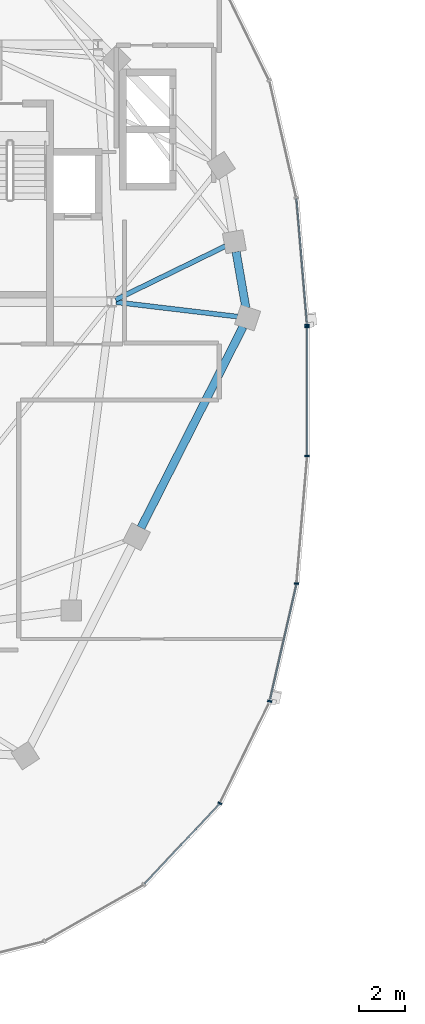
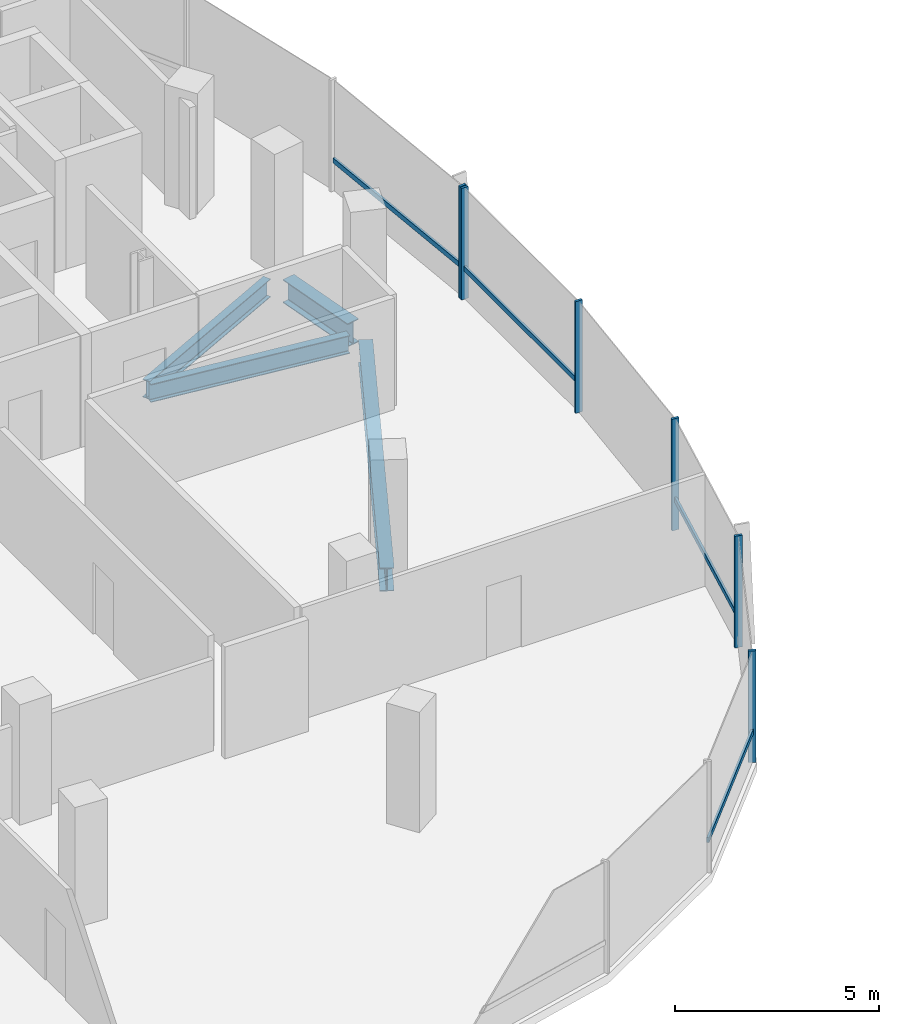
# One storey, part 5 of 25: 10 members, 4 beams, 2 elements without a shape of their own.
"""IFC4 building model written with IfcOpenShell, lengths in metres."""

from ifc_helpers import new_model, si_unit, direction, frame, origin, origin_2d, place, context, subcontext, project, spatial, rectangle, i_section, extrude, material, material_profile, profile_set, type_object, element, aggregate, save


model = new_model("IFC4")

# Units and contexts
model_context = context("Model", 3, precision=1e-05, world=origin(), true_north=direction((0.0, 1.0)))
body_context = subcontext(model_context, "Body", "Model", "MODEL_VIEW")
ifc_project = project(units=[si_unit("LENGTHUNIT", "METRE"), si_unit("AREAUNIT", "SQUARE_METRE"), si_unit("VOLUMEUNIT", "CUBIC_METRE"), si_unit("PLANEANGLEUNIT", "RADIAN"), si_unit("MASSUNIT", "GRAM", prefix="KILO"), si_unit("THERMODYNAMICTEMPERATUREUNIT", "KELVIN"), si_unit("POWERUNIT", "WATT")], contexts=[model_context])

# Site, building, storey
site_placement = place(None, origin())
site = spatial("IfcSite", under=ifc_project, at=site_placement, CompositionType="ELEMENT")
building_placement = place(site_placement, origin())
building = spatial("IfcBuilding", under=site, at=building_placement, Name="Cundina Bronze Exchange", CompositionType="ELEMENT")
storey_placement = place(building_placement, frame((0.0, 0.0, 217.0)))
storey = spatial("IfcBuildingStorey", under=building, at=storey_placement, Name="L57", CompositionType="ELEMENT", Elevation=217.0)

# Beams
ifc_material_1 = material(Name="Steel ASTM A992 Grade 50", Category="steel")
ifc_material_profile_1 = material_profile(ifc_material_1, i_section(OverallWidth=0.2119140625, OverallDepth=0.5439453125, WebThickness=0.01318359375, FlangeThickness=0.021240234375, FilletRadius=0.013916015625, at=origin_2d()), Name="W21X83", Category="steel")
ifc_profile_set_1 = profile_set([ifc_material_profile_1], Name="Steel ASTM A992 Grade 50")
beam_type_1 = type_object("IfcBeamType", Name="BM-FLR-W21A", PredefinedType="BEAM", material=ifc_profile_set_1)
beam_1_placement = place(storey_placement, frame((-21.25537109375, 3.876953125, -0.531982421875), z_axis=(0.993036786722, -0.117804669761, 0.0), x_axis=(0.117804669761, 0.993036786722, 0.0)))
element("IfcBeam", 1, at=beam_1_placement, inside=storey, type_object=beam_type_1, Name="L57 Leg W Radial Floor Beam 00", PredefinedType="BEAM", context=body_context, shape_type="SweptSolid", body=[
    extrude(i_section(OverallWidth=0.2119140625, OverallDepth=0.5439453125, WebThickness=0.01318359375, FlangeThickness=0.021240234375, FilletRadius=0.013916015625, at=origin_2d()), origin(), (0.0, 0.0, 1.0), 5.307373046875),
])
beam_2_placement = place(storey_placement, frame((-21.27392578125, 3.986083984375, -0.531982421875), z_axis=(0.898613202677, 0.438741737214, 0.0), x_axis=(-0.438741737214, 0.898613202677, 0.0)))
element("IfcBeam", 2, at=beam_2_placement, inside=storey, type_object=beam_type_1, Name="L57 Leg W Radial Floor Beam 01", PredefinedType="BEAM", context=body_context, shape_type="SweptSolid", body=[
    extrude(i_section(OverallWidth=0.2119140625, OverallDepth=0.5439453125, WebThickness=0.01318359375, FlangeThickness=0.021240234375, FilletRadius=0.013916015625, at=origin_2d()), origin(), (0.0, 0.0, 1.0), 5.2919921875),
])
ifc_material_profile_2 = material_profile(ifc_material_1, i_section(OverallWidth=0.35498046875, OverallDepth=0.695068359375, WebThickness=0.015380859375, FlangeThickness=0.02490234375, FilletRadius=0.01806640625, at=origin_2d()), Name="W27X146", Category="steel")
ifc_profile_set_2 = profile_set([ifc_material_profile_2], Name="Steel ASTM A992 Grade 50")
beam_type_2 = type_object("IfcBeamType", Name="BM-RING-W27", PredefinedType="USERDEFINED", material=ifc_profile_set_2)
beam_3_placement = place(storey_placement, frame((-15.625244140625, 3.631591796875, -0.607421875), z_axis=(-0.171628556628, 0.985161732179, 0.0), x_axis=(-0.985161732179, -0.171628556628, 0.0)))
element("IfcBeam", 3, at=beam_3_placement, inside=storey, type_object=beam_type_2, Name="L57 W Perimeter Ring Girder 00", ObjectType="GIRDER", PredefinedType="USERDEFINED", context=body_context, shape_type="SweptSolid", body=[
    extrude(i_section(OverallWidth=0.35498046875, OverallDepth=0.695068359375, WebThickness=0.015380859375, FlangeThickness=0.02490234375, FilletRadius=0.01806640625, at=origin_2d()), origin(), (0.0, 0.0, 1.0), 2.4736328125),
])
beam_4_placement = place(storey_placement, frame((-20.1767578125, -5.909423828125, -0.607421875), z_axis=(0.452846871434, 0.891588308039, 0.0), x_axis=(-0.891588308039, 0.452846871434, 0.0)))
element("IfcBeam", 4, at=beam_4_placement, inside=storey, type_object=beam_type_2, Name="L57 W Perimeter Ring Girder 13", ObjectType="GIRDER", PredefinedType="USERDEFINED", context=body_context, shape_type="SweptSolid", body=[
    extrude(i_section(OverallWidth=0.35498046875, OverallDepth=0.695068359375, WebThickness=0.015380859375, FlangeThickness=0.02490234375, FilletRadius=0.01806640625, at=origin_2d()), origin(), (0.0, 0.0, 1.0), 9.779052734375),
])

# Curtain wall, member
ifc_material_2 = material(Name="Anodised Bronze Aluminium 6063-T6", Category="aluminium")
curtain_wall_type = type_object("IfcCurtainWallType", Name="CWS-UPP-OFF", PredefinedType="NOTDEFINED", material=ifc_material_2)
curtain_wall_1_placement = place(storey_placement, origin())
curtain_wall_1 = element("IfcCurtainWall", 5, at=curtain_wall_1_placement, inside=storey, type_object=curtain_wall_type, Name="L57 CW-05 Curtain Wall Run CWR-L57-W1", PredefinedType="NOTDEFINED")
ifc_material_profile_3 = material_profile(ifc_material_2, rectangle(XDim=0.070068359375, YDim=0.18994140625, at=origin_2d()), Name="AL70X190", Category="aluminium")
ifc_profile_set_3 = profile_set([ifc_material_profile_3], Name="Anodised Bronze Aluminium 6063-T6")
member_type_1 = type_object("IfcMemberType", Name="CWM-MUL-190", PredefinedType="MULLION", material=ifc_profile_set_3)
member_1_placement = place(storey_placement, frame((-12.9697265625, 2.88330078125, 0.0), z_axis=(0.0, 0.0, 1.0), x_axis=(-0.083677843332, 0.99649285925, 0.0)))
member_1 = element("IfcMember", 6, at=member_1_placement, type_object=member_type_1, Name="CW-05 Mullion 1", PredefinedType="MULLION", context=body_context, shape_type="SweptSolid", body=[
    extrude(rectangle(XDim=0.070068359375, YDim=0.18994140625, at=origin_2d()), origin(), (0.0, 0.0, 1.0), 3.340087890625),
])

# Curtain wall, members
curtain_wall_2_placement = place(storey_placement, origin())
curtain_wall_2 = element("IfcCurtainWall", 7, at=curtain_wall_2_placement, inside=storey, type_object=curtain_wall_type, Name="L57 CW-05 Curtain Wall Run CWR-L57-W4", PredefinedType="NOTDEFINED")
member_2_placement = place(storey_placement, frame((-16.754638671875, -17.866455078125, 0.0), z_axis=(0.0, 0.0, 1.0), x_axis=(0.440566004113, 0.897720221461, 0.0)))
member_2 = element("IfcMember", 8, at=member_2_placement, type_object=member_type_1, Name="CW-05 Mullion 4", PredefinedType="MULLION", context=body_context, shape_type="SweptSolid", body=[
    extrude(rectangle(XDim=0.070068359375, YDim=0.18994140625, at=origin_2d()), origin(), (0.0, 0.0, 1.0), 3.340087890625),
])
member_3_placement = place(storey_placement, frame((-14.59228515625, -13.440673828125, 0.0), z_axis=(0.0, 0.0, 1.0), x_axis=(0.223250116011, 0.974761194191, 0.0)))
member_3 = element("IfcMember", 9, at=member_3_placement, type_object=member_type_1, Name="CW-05 Mullion 5", PredefinedType="MULLION", context=body_context, shape_type="SweptSolid", body=[
    extrude(rectangle(XDim=0.070068359375, YDim=0.18994140625, at=origin_2d()), origin(), (0.0, 0.0, 1.0), 3.340087890625),
])
member_4_placement = place(storey_placement, frame((-13.427490234375, -8.33056640625, 0.0), z_axis=(0.0, 0.0, 1.0), x_axis=(0.083677843332, 0.99649285925, 0.0)))
member_4 = element("IfcMember", 10, at=member_4_placement, type_object=member_type_1, Name="CW-05 Mullion 6", PredefinedType="MULLION", context=body_context, shape_type="SweptSolid", body=[
    extrude(rectangle(XDim=0.070068359375, YDim=0.18994140625, at=origin_2d()), origin(), (0.0, 0.0, 1.0), 3.340087890625),
])
member_5_placement = place(storey_placement, frame((-12.966064453125, -2.794921875, 0.0), z_axis=(0.0, 0.0, 1.0), x_axis=(0.0, 1.0, 0.0)))
member_5 = element("IfcMember", 11, at=member_5_placement, type_object=member_type_1, Name="CW-05 Mullion 7", PredefinedType="MULLION", context=body_context, shape_type="SweptSolid", body=[
    extrude(rectangle(XDim=0.070068359375, YDim=0.18994140625, at=origin_2d()), origin(), (0.0, 0.0, 1.0), 3.340087890625),
])
member_6_placement = place(storey_placement, frame((-12.966064453125, 2.794921875, 0.0), z_axis=(0.0, 0.0, 1.0), x_axis=(0.0, 1.0, 0.0)))
member_6 = element("IfcMember", 12, at=member_6_placement, type_object=member_type_1, Name="CW-05 End Mullion", PredefinedType="MULLION", context=body_context, shape_type="SweptSolid", body=[
    extrude(rectangle(XDim=0.070068359375, YDim=0.18994140625, at=origin_2d()), origin(), (0.0, 0.0, 1.0), 3.340087890625),
])

# Member
ifc_material_profile_4 = material_profile(ifc_material_2, rectangle(XDim=0.06494140625, YDim=0.14990234375, at=origin_2d()), Name="AL65X150", Category="aluminium")
ifc_profile_set_4 = profile_set([ifc_material_profile_4], Name="Anodised Bronze Aluminium 6063-T6")
member_type_2 = type_object("IfcMemberType", Name="CWM-TRN-150", PredefinedType="USERDEFINED", material=ifc_profile_set_4)
member_7_placement = place(storey_placement, frame((-12.972900390625, 2.921630859375, 0.919921875), z_axis=(-0.083740331158, 0.996487610027, 0.0), x_axis=(-0.996487610027, -0.083740331158, 0.0)))
member_7 = element("IfcMember", 13, at=member_7_placement, type_object=member_type_2, Name="CW-05 Spandrel Transom 1", ObjectType="TRANSOM", PredefinedType="USERDEFINED", context=body_context, shape_type="SweptSolid", body=[
    extrude(rectangle(XDim=0.06494140625, YDim=0.14990234375, at=origin_2d()), origin(), (0.0, 0.0, 1.0), 5.466552734375),
])

aggregate(curtain_wall_1, [member_1, member_7])

member_8_placement = place(storey_placement, frame((-20.02490234375, -21.364501953125, 0.919921875), z_axis=(0.684336416554, 0.729166420633, 0.0), x_axis=(-0.729166420633, 0.684336416554, 0.0)))
member_8 = element("IfcMember", 14, at=member_8_placement, type_object=member_type_2, Name="CW-05 Spandrel Transom 3", ObjectType="TRANSOM", PredefinedType="USERDEFINED", context=body_context, shape_type="SweptSolid", body=[
    extrude(rectangle(XDim=0.06494140625, YDim=0.14990234375, at=origin_2d()), origin(), (0.0, 0.0, 1.0), 4.76513671875),
])

member_9_placement = place(storey_placement, frame((-14.58349609375, -13.403076171875, 0.919921875), z_axis=(0.22328343579, 0.974753562344, 0.0), x_axis=(-0.974753562344, 0.22328343579, 0.0)))
member_9 = element("IfcMember", 15, at=member_9_placement, type_object=member_type_2, Name="CW-05 Spandrel Transom 5", ObjectType="TRANSOM", PredefinedType="USERDEFINED", context=body_context, shape_type="SweptSolid", body=[
    extrude(rectangle(XDim=0.06494140625, YDim=0.14990234375, at=origin_2d()), origin(), (0.0, 0.0, 1.0), 5.159912109375),
])

member_10_placement = place(storey_placement, frame((-12.966064453125, -2.756591796875, 0.919921875), z_axis=(0.0, 1.0, 0.0), x_axis=(-1.0, 0.0, 0.0)))
member_10 = element("IfcMember", 16, at=member_10_placement, type_object=member_type_2, Name="CW-05 Spandrel Transom 7", ObjectType="TRANSOM", PredefinedType="USERDEFINED", context=body_context, shape_type="SweptSolid", body=[
    extrude(rectangle(XDim=0.06494140625, YDim=0.14990234375, at=origin_2d()), origin(), (0.0, 0.0, 1.0), 5.51318359375),
])

aggregate(curtain_wall_2, [member_8, member_2, member_3, member_9, member_4, member_5, member_6, member_10])

save(model, "model.ifc")
